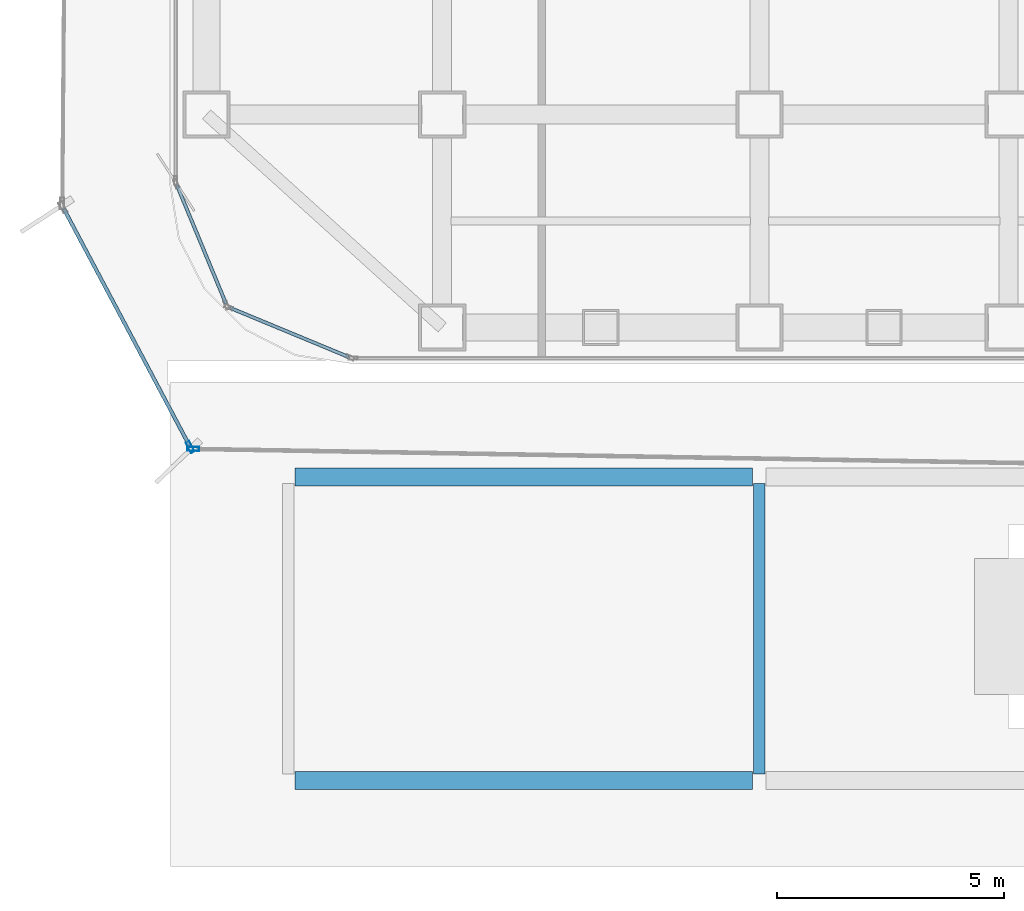
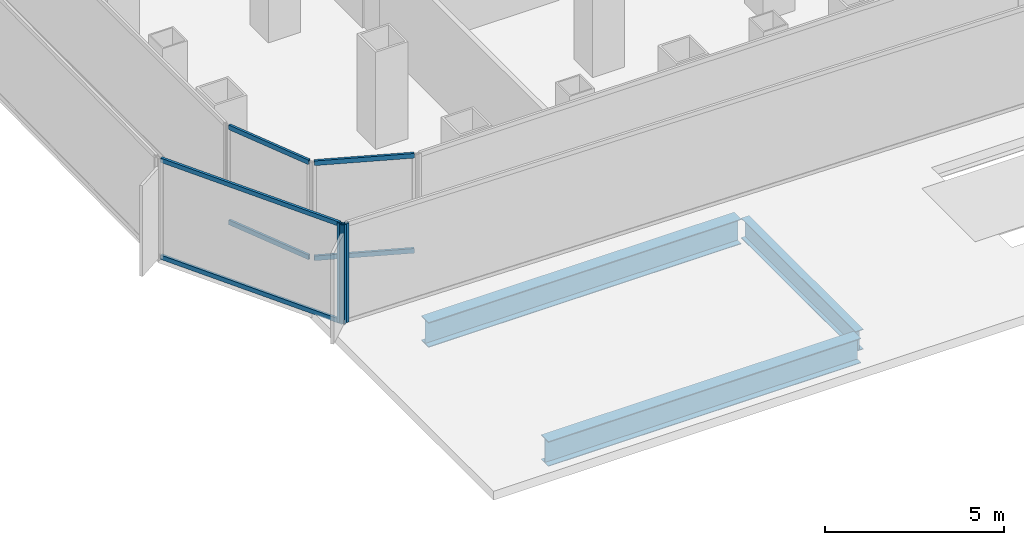
# One storey, part 2 of 27: 8 members, 3 beams, 4 elements without a shape of their own.
"""IFC4 building model written with IfcOpenShell, lengths in metres."""

from ifc_helpers import new_model, si_unit, direction, frame, origin, origin_2d, place, context, subcontext, project, spatial, hollow_rectangle, i_section, extrude, source, transform, mapped, material, layer, layer_set, material_profile, profile_set, type_object, element, aggregate, save


model = new_model("IFC4")

# Units and contexts
model_context = context("Model", 3, precision=1e-05, world=origin(), true_north=direction((0.0, 1.0)))
body_context = subcontext(model_context, "Body", "Model", "MODEL_VIEW")
ifc_project = project(units=[si_unit("LENGTHUNIT", "METRE"), si_unit("AREAUNIT", "SQUARE_METRE"), si_unit("VOLUMEUNIT", "CUBIC_METRE"), si_unit("PLANEANGLEUNIT", "RADIAN"), si_unit("MASSUNIT", "GRAM", prefix="KILO")], contexts=[model_context])

# Site, building, storey
site_placement = place(None, origin())
site = spatial("IfcSite", under=ifc_project, at=site_placement, CompositionType="ELEMENT")
building_placement = place(site_placement, origin())
building = spatial("IfcBuilding", under=site, at=building_placement, Name="Kolveth Station Tower", CompositionType="ELEMENT")
storey_placement = place(building_placement, frame((0.0, 0.0, 22.5)))
storey = spatial("IfcBuildingStorey", under=building, at=storey_placement, Name="L05", CompositionType="ELEMENT", Elevation=22.5)

# Beams
ifc_material_1 = material(Name="Steel S355", Category="steel")
ifc_material_profile_1 = material_profile(ifc_material_1, i_section(OverallWidth=0.40087890625, OverallDepth=0.85107421875, WebThickness=0.01611328125, FlangeThickness=0.025390625, at=origin_2d()), Name="W840x226")
ifc_profile_set_1 = profile_set([ifc_material_profile_1], Name="Steel S355")
beam_type_1 = type_object("IfcBeamType", Name="Beam_B2", PredefinedType="BEAM", material=ifc_profile_set_1)
shared_shape_1 = source(origin(), body_context, "Body", "SweptSolid", [
    extrude(i_section(OverallWidth=0.40087890625, OverallDepth=0.85107421875, WebThickness=0.01611328125, FlangeThickness=0.025390625, at=origin_2d()), origin(), (0.0, 0.0, 1.0), 10.10009765625),
])
for number, where, z_axis, x_axis, name in (
    (1, (2.75, -9.199951171875, -0.7255859375), (1.0, 0.0, 0.0), (0.0, 1.0, 0.0), "L05 Station Concourse Girder SBM-L05-SL1-1"),
    (2, (2.75, -2.5, -0.7255859375), (1.0, 0.0, 0.0), (0.0, 1.0, 0.0), "L05 Station Concourse Girder SBM-L05-SL2-1"),
):
    element("IfcBeam", number, at=place(storey_placement, frame(where, z_axis=z_axis, x_axis=x_axis)), inside=storey, type_object=beam_type_1, Name=name, PredefinedType="BEAM", context=body_context, shape_type="MappedRepresentation", body=[
        mapped(shared_shape_1, transform((0.0, 0.0, 0.0), x_axis=(1.0, 0.0, 0.0), y_axis=(0.0, 1.0, 0.0), z_axis=(0.0, 0.0, 1.0), scale=1.0)),
    ])
ifc_material_profile_2 = material_profile(ifc_material_1, i_section(OverallWidth=0.25390625, OverallDepth=0.68798828125, WebThickness=0.01318359375, FlangeThickness=0.02099609375, at=origin_2d()), Name="W690x152")
ifc_profile_set_2 = profile_set([ifc_material_profile_2], Name="Steel S355")
beam_type_2 = type_object("IfcBeamType", Name="Beam_B4", PredefinedType="BEAM", material=ifc_profile_set_2)
shared_shape_2 = source(origin(), body_context, "Body", "SweptSolid", [
    extrude(i_section(OverallWidth=0.25390625, OverallDepth=0.68798828125, WebThickness=0.01318359375, FlangeThickness=0.02099609375, at=origin_2d()), origin(), (0.0, 0.0, 1.0), 6.400146484375),
])
beam_placement = place(storey_placement, frame((13.0, -9.050048828125, -0.64404296875), z_axis=(0.0, 1.0, 0.0), x_axis=(-1.0, 0.0, 0.0)))
element("IfcBeam", 3, at=beam_placement, inside=storey, type_object=beam_type_2, Name="L05 Station Transverse Beam SBM-L05-ST-2", PredefinedType="BEAM", context=body_context, shape_type="MappedRepresentation", body=[
    mapped(shared_shape_2, transform((0.0, 0.0, 0.0), x_axis=(1.0, 0.0, 0.0), y_axis=(0.0, 1.0, 0.0), z_axis=(0.0, 0.0, 1.0), scale=1.0)),
])

# Curtain wall, members
ifc_material_2 = material(Name="Aluminium 6063-T6 and low-E dark glass", Category="aluminium")
ifc_layer_1 = layer(ifc_material_2, 0.179931640625)
ifc_layer_set_1 = layer_set([ifc_layer_1], Name="Aluminium 6063-T6 and low-E dark glass")
curtain_wall_type_1 = type_object("IfcCurtainWallType", Name="CurtainWall_CW-Z1", PredefinedType="NOTDEFINED", material=ifc_layer_set_1)
curtain_wall_1_placement = place(storey_placement, origin())
curtain_wall_1 = element("IfcCurtainWall", 4, at=curtain_wall_1_placement, inside=storey, type_object=curtain_wall_type_1, Name="L05 Inner Thermal Curtain Wall 10", PredefinedType="NOTDEFINED")
ifc_material_3 = material(Name="Black anodized aluminium 6063-T6", Category="aluminium")
ifc_material_profile_3 = material_profile(ifc_material_3, hollow_rectangle(XDim=0.074951171875, YDim=0.159912109375, WallThickness=0.0048828125, at=origin_2d()), Name="ALU-75x160x5")
ifc_profile_set_3 = profile_set([ifc_material_profile_3], Name="Black anodized aluminium 6063-T6")
member_type_1 = type_object("IfcMemberType", Name="Transom_TR1", PredefinedType="USERDEFINED", material=ifc_profile_set_3)
shared_shape_3 = source(origin(), body_context, "Body", "SweptSolid", [
    extrude(hollow_rectangle(XDim=0.074951171875, YDim=0.159912109375, WallThickness=0.0048828125, at=origin_2d()), origin(), (0.0, 0.0, 1.0), 2.819580078125),
])
member_1_placement = place(storey_placement, frame((0.148681640625, 3.9306640625, 0.03759765625), z_axis=(0.382708655389, -0.923869084389, 0.0), x_axis=(0.923869084389, 0.382708655389, 0.0)))
member_1 = element("IfcMember", 5, at=member_1_placement, type_object=member_type_1, Name="CW-Z1 transom 1.1", ObjectType="TRANSOM", PredefinedType="USERDEFINED", context=body_context, shape_type="MappedRepresentation", body=[
    mapped(shared_shape_3, transform((0.0, 0.0, 0.0), x_axis=(1.0, 0.0, 0.0), y_axis=(0.0, 1.0, 0.0), z_axis=(0.0, 0.0, 1.0), scale=1.0)),
])
member_2_placement = place(storey_placement, frame((0.148681640625, 3.9306640625, 3.282470703125), z_axis=(0.382708655389, -0.923869084389, 0.0), x_axis=(0.923869084389, 0.382708655389, 0.0)))
member_2 = element("IfcMember", 6, at=member_2_placement, type_object=member_type_1, Name="CW-Z1 transom 1.2", ObjectType="TRANSOM", PredefinedType="USERDEFINED", context=body_context, shape_type="MappedRepresentation", body=[
    mapped(shared_shape_3, transform((0.0, 0.0, 0.0), x_axis=(1.0, 0.0, 0.0), y_axis=(0.0, 1.0, 0.0), z_axis=(0.0, 0.0, 1.0), scale=1.0)),
])
aggregate(curtain_wall_1, [member_1, member_2])

curtain_wall_2_placement = place(storey_placement, origin())
curtain_wall_2 = element("IfcCurtainWall", 7, at=curtain_wall_2_placement, inside=storey, type_object=curtain_wall_type_1, Name="L05 Inner Thermal Curtain Wall 11", PredefinedType="NOTDEFINED")
member_3_placement = place(storey_placement, frame((1.32568359375, 1.227783203125, 0.03759765625), z_axis=(0.923869084389, -0.382708655389, 0.0), x_axis=(0.382708655389, 0.923869084389, 0.0)))
member_3 = element("IfcMember", 8, at=member_3_placement, type_object=member_type_1, Name="CW-Z1 transom 1.1", ObjectType="TRANSOM", PredefinedType="USERDEFINED", context=body_context, shape_type="MappedRepresentation", body=[
    mapped(shared_shape_3, transform((0.0, 0.0, 0.0), x_axis=(1.0, 0.0, 0.0), y_axis=(0.0, 1.0, 0.0), z_axis=(0.0, 0.0, 1.0), scale=1.0)),
])
member_4_placement = place(storey_placement, frame((1.32568359375, 1.227783203125, 3.282470703125), z_axis=(0.923869084389, -0.382708655389, 0.0), x_axis=(0.382708655389, 0.923869084389, 0.0)))
member_4 = element("IfcMember", 9, at=member_4_placement, type_object=member_type_1, Name="CW-Z1 transom 1.2", ObjectType="TRANSOM", PredefinedType="USERDEFINED", context=body_context, shape_type="MappedRepresentation", body=[
    mapped(shared_shape_3, transform((0.0, 0.0, 0.0), x_axis=(1.0, 0.0, 0.0), y_axis=(0.0, 1.0, 0.0), z_axis=(0.0, 0.0, 1.0), scale=1.0)),
])
aggregate(curtain_wall_2, [member_3, member_4])

# Curtain wall, member
ifc_material_4 = material(Name="Black anodized aluminium 6063-T6 and dark solar glass", Category="aluminium")
ifc_layer_2 = layer(ifc_material_4, 0.159912109375)
ifc_layer_set_2 = layer_set([ifc_layer_2], Name="Black anodized aluminium 6063-T6 and dark solar glass")
curtain_wall_type_2 = type_object("IfcCurtainWallType", Name="OUTER SKIN CW-OS", PredefinedType="NOTDEFINED", material=ifc_layer_set_2)
curtain_wall_3_placement = place(storey_placement, origin())
curtain_wall_3 = element("IfcCurtainWall", 10, at=curtain_wall_3_placement, inside=storey, type_object=curtain_wall_type_2, Name="L05 Outer Ventilated Skin Curtain Wall 7", PredefinedType="NOTDEFINED")
ifc_material_profile_4 = material_profile(ifc_material_3, hollow_rectangle(XDim=0.090087890625, YDim=0.260009765625, WallThickness=0.0048828125, at=origin_2d()), Name="ALU-90x260x5")
ifc_profile_set_4 = profile_set([ifc_material_profile_4], Name="Black anodized aluminium 6063-T6")
member_type_2 = type_object("IfcMemberType", Name="FIN MULLION ML-OS", PredefinedType="MULLION", material=ifc_profile_set_4)
shared_shape_4 = source(origin(), body_context, "Body", "SweptSolid", [
    extrude(hollow_rectangle(XDim=0.090087890625, YDim=0.260009765625, WallThickness=0.0048828125, at=origin_2d()), origin(), (0.0, 0.0, 1.0), 3.389892578125),
])
member_5_placement = place(storey_placement, frame((0.439208984375, -1.841064453125, 0.0), z_axis=(0.0, 0.0, 1.0), x_axis=(0.883337486878, 0.468737543063, 0.0)))
member_5 = element("IfcMember", 11, at=member_5_placement, type_object=member_type_2, Name="CW-OS mullion 2", PredefinedType="MULLION", context=body_context, shape_type="MappedRepresentation", body=[
    mapped(shared_shape_4, transform((0.0, 0.0, 0.0), x_axis=(1.0, 0.0, 0.0), y_axis=(0.0, 1.0, 0.0), z_axis=(0.0, 0.0, 1.0), scale=1.0)),
])

curtain_wall_4_placement = place(storey_placement, origin())
curtain_wall_4 = element("IfcCurtainWall", 12, at=curtain_wall_4_placement, inside=storey, type_object=curtain_wall_type_2, Name="L05 Outer Ventilated Skin Curtain Wall 8", PredefinedType="NOTDEFINED")
member_6_placement = place(storey_placement, frame((0.505126953125, -1.881591796875, 0.0), z_axis=(0.0, 0.0, 1.0), x_axis=(0.016994751776, 0.999855578777, 0.0)))
member_6 = element("IfcMember", 13, at=member_6_placement, type_object=member_type_2, Name="CW-OS mullion 1", PredefinedType="MULLION", context=body_context, shape_type="MappedRepresentation", body=[
    mapped(shared_shape_4, transform((0.0, 0.0, 0.0), x_axis=(1.0, 0.0, 0.0), y_axis=(0.0, 1.0, 0.0), z_axis=(0.0, 0.0, 1.0), scale=1.0)),
])
aggregate(curtain_wall_4, [member_6])

# Member
ifc_material_profile_5 = material_profile(ifc_material_3, hollow_rectangle(XDim=0.080078125, YDim=0.14990234375, WallThickness=0.0048828125, at=origin_2d()), Name="ALU-80x150x5")
ifc_profile_set_5 = profile_set([ifc_material_profile_5], Name="Black anodized aluminium 6063-T6")
member_type_3 = type_object("IfcMemberType", Name="Transom_TR-OS", PredefinedType="USERDEFINED", material=ifc_profile_set_5)
shared_shape_5 = source(origin(), body_context, "Body", "SweptSolid", [
    extrude(hollow_rectangle(XDim=0.080078125, YDim=0.14990234375, WallThickness=0.0048828125, at=origin_2d()), origin(), (0.0, 0.0, 1.0), 5.90087890625),
])
member_7_placement = place(storey_placement, frame((-2.347900390625, 3.4111328125, 0.0400390625), z_axis=(0.468729643102, -0.883341678897, 0.0), x_axis=(0.883341678897, 0.468729643102, 0.0)))
member_7 = element("IfcMember", 14, at=member_7_placement, type_object=member_type_3, Name="CW-OS transom 1.1", ObjectType="TRANSOM", PredefinedType="USERDEFINED", context=body_context, shape_type="MappedRepresentation", body=[
    mapped(shared_shape_5, transform((0.0, 0.0, 0.0), x_axis=(1.0, 0.0, 0.0), y_axis=(0.0, 1.0, 0.0), z_axis=(0.0, 0.0, 1.0), scale=1.0)),
])

member_8_placement = place(storey_placement, frame((-2.347900390625, 3.4111328125, 3.35009765625), z_axis=(0.468729643102, -0.883341678897, 0.0), x_axis=(0.883341678897, 0.468729643102, 0.0)))
member_8 = element("IfcMember", 15, at=member_8_placement, type_object=member_type_3, Name="CW-OS transom 1.2", ObjectType="TRANSOM", PredefinedType="USERDEFINED", context=body_context, shape_type="MappedRepresentation", body=[
    mapped(shared_shape_5, transform((0.0, 0.0, 0.0), x_axis=(1.0, 0.0, 0.0), y_axis=(0.0, 1.0, 0.0), z_axis=(0.0, 0.0, 1.0), scale=1.0)),
])

aggregate(curtain_wall_3, [member_5, member_7, member_8])

save(model, "model.ifc")
